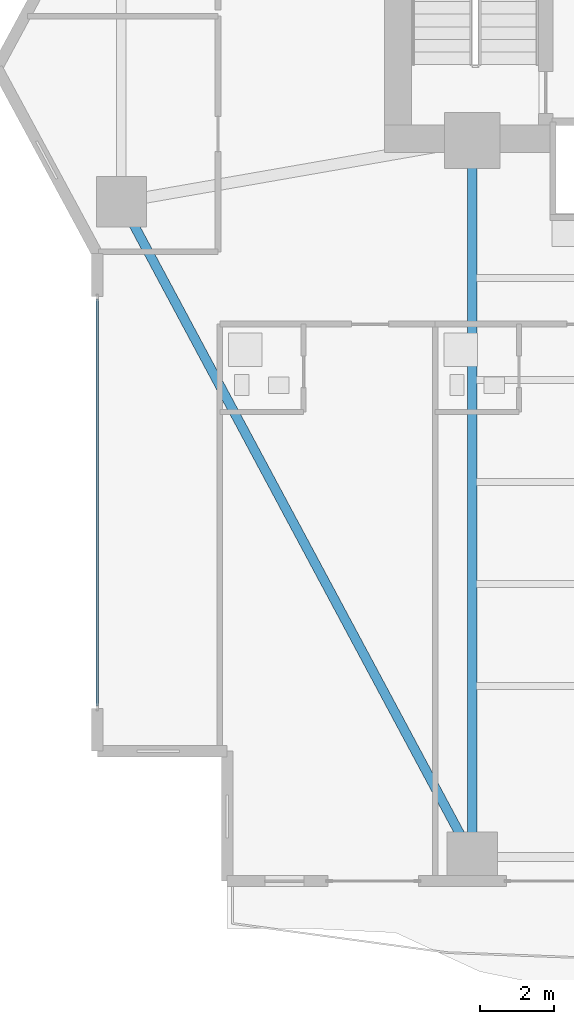
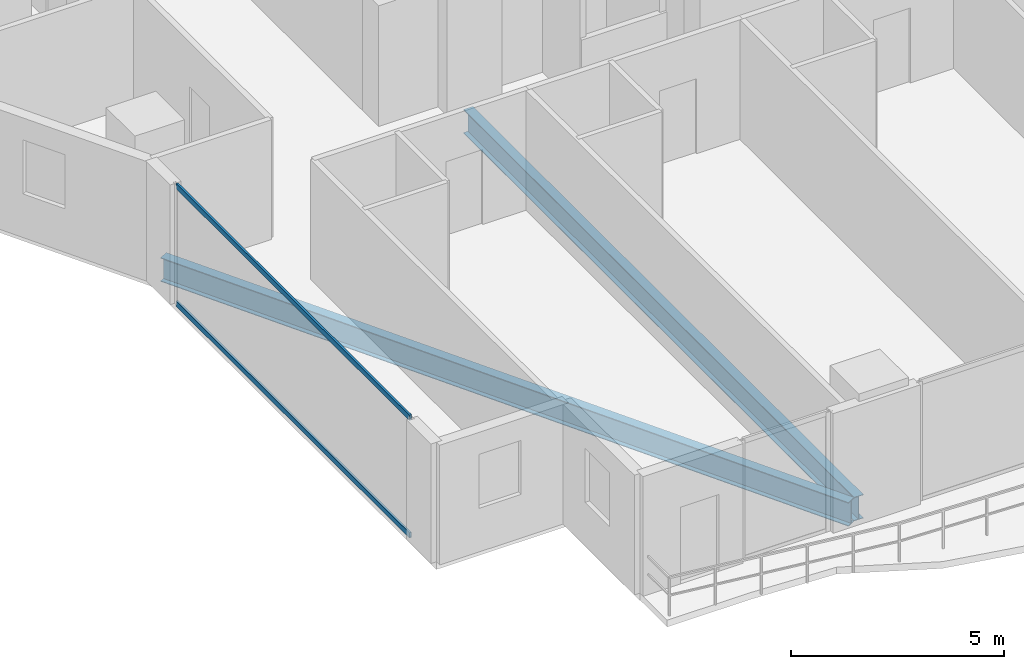
# One storey, part 3 of 29: 2 beams, 2 members, 1 element without a shape of its own.
"""IFC4 building model written with IfcOpenShell, lengths in metres."""

from ifc_helpers import new_model, si_unit, direction, frame, origin, origin_2d, place, context, subcontext, project, spatial, hollow_rectangle, i_section, extrude, material, layer, layer_set, material_profile, profile_set, type_object, element, aggregate, save


model = new_model("IFC4")

# Units and contexts
model_context = context("Model", 3, precision=1e-05, world=origin(), true_north=direction((0.0, 1.0)))
body_context = subcontext(model_context, "Body", "Model", "MODEL_VIEW")
ifc_project = project(units=[si_unit("LENGTHUNIT", "METRE"), si_unit("AREAUNIT", "SQUARE_METRE"), si_unit("VOLUMEUNIT", "CUBIC_METRE"), si_unit("PLANEANGLEUNIT", "RADIAN"), si_unit("MASSUNIT", "GRAM", prefix="KILO")], contexts=[model_context])

# Site, building, storey
site_placement = place(None, origin())
site = spatial("IfcSite", under=ifc_project, at=site_placement, CompositionType="ELEMENT")
building_placement = place(site_placement, origin())
building = spatial("IfcBuilding", under=site, at=building_placement, Name="Zuhayl Quay Hotel", CompositionType="ELEMENT")
storey_placement = place(building_placement, frame((0.0, 0.0, 150.39990234375)))
storey = spatial("IfcBuildingStorey", under=building, at=storey_placement, Name="L38", CompositionType="ELEMENT", Elevation=150.39990234375)

# Beams
ifc_material_1 = material(Name="Steel ASTM A992 Grade 50", Category="steel")
ifc_material_profile_1 = material_profile(ifc_material_1, i_section(OverallWidth=0.25390625, OverallDepth=0.68310546875, WebThickness=0.012451171875, FlangeThickness=0.018798828125, at=origin_2d()), Name="W27X94")
ifc_profile_set_1 = profile_set([ifc_material_profile_1], Name="Steel ASTM A992 Grade 50")
beam_type = type_object("IfcBeamType", Name="BM_B2_W27X94", PredefinedType="BEAM", material=ifc_profile_set_1)
beam_1_placement = place(storey_placement, frame((-23.013916015625, 2.459228515625, -0.5615234375), z_axis=(0.472017301959, -0.88158928456, 0.0), x_axis=(0.88158928456, 0.472017301959, 0.0)))
element("IfcBeam", 1, at=beam_1_placement, inside=storey, type_object=beam_type, Name="L38 Floor Beam RG_L38_12", PredefinedType="BEAM", context=body_context, shape_type="SweptSolid", body=[
    extrude(i_section(OverallWidth=0.25390625, OverallDepth=0.68310546875, WebThickness=0.012451171875, FlangeThickness=0.018798828125, at=origin_2d()), origin(), (0.0, 0.0, 1.0), 19.0205078125),
])
beam_2_placement = place(storey_placement, frame((-13.800048828125, -14.25, -0.5615234375), z_axis=(0.0, 1.0, 0.0), x_axis=(-1.0, 0.0, 0.0)))
element("IfcBeam", 2, at=beam_2_placement, inside=storey, type_object=beam_type, Name="L38 Floor Beam FG_S_L38_1", PredefinedType="BEAM", context=body_context, shape_type="SweptSolid", body=[
    extrude(i_section(OverallWidth=0.25390625, OverallDepth=0.68310546875, WebThickness=0.012451171875, FlangeThickness=0.018798828125, at=origin_2d()), origin(), (0.0, 0.0, 1.0), 18.35009765625),
])

# Curtain wall, members
ifc_material_2 = material(Name="Anodised Aluminium 6063-T6", Category="aluminium")
ifc_layer = layer(ifc_material_2, 0.179931640625, Name="Anodised Aluminium 6063-T6", Category="aluminium")
ifc_layer_set = layer_set([ifc_layer], Name="Anodised Aluminium 6063-T6")
curtain_wall_type = type_object("IfcCurtainWallType", Name="CW_SYS_Z2", PredefinedType="USERDEFINED", material=ifc_layer_set)
curtain_wall_placement = place(storey_placement, origin())
curtain_wall = element("IfcCurtainWall", 3, at=curtain_wall_placement, inside=storey, type_object=curtain_wall_type, Name="L38 Curtain Wall ENV_L38_E02_CW1", ObjectType="UNITISED CURTAIN WALL", PredefinedType="USERDEFINED")
ifc_material_3 = material(Name="Black-anodised aluminium 6063-T6", Category="aluminium")
ifc_material_profile_2 = material_profile(ifc_material_3, hollow_rectangle(XDim=0.06005859375, YDim=0.14990234375, WallThickness=0.00341796875, at=origin_2d()), Name="ALU150X60")
ifc_profile_set_2 = profile_set([ifc_material_profile_2], Name="Black-anodised aluminium 6063-T6")
member_type = type_object("IfcMemberType", Name="MB_CW_TRN_150", PredefinedType="USERDEFINED", material=ifc_profile_set_2)
member_1_placement = place(storey_placement, frame((-23.89990234375, -10.68505859375, 0.030029296875), z_axis=(0.0, 1.0, 0.0), x_axis=(-1.0, 0.0, 0.0)))
member_1 = element("IfcMember", 4, at=member_1_placement, type_object=member_type, Name="CW-Z2 transom 1.1", ObjectType="TRANSOM", PredefinedType="USERDEFINED", context=body_context, shape_type="SweptSolid", body=[
    extrude(hollow_rectangle(XDim=0.06005859375, YDim=0.14990234375, WallThickness=0.00341796875, at=origin_2d()), origin(), (0.0, 0.0, 1.0), 10.969970703125),
])
member_2_placement = place(storey_placement, frame((-23.89990234375, -10.68505859375, 3.400146484375), z_axis=(0.0, 1.0, 0.0), x_axis=(-1.0, 0.0, 0.0)))
member_2 = element("IfcMember", 5, at=member_2_placement, type_object=member_type, Name="CW-Z2 transom 1.2", ObjectType="TRANSOM", PredefinedType="USERDEFINED", context=body_context, shape_type="SweptSolid", body=[
    extrude(hollow_rectangle(XDim=0.06005859375, YDim=0.14990234375, WallThickness=0.00341796875, at=origin_2d()), origin(), (0.0, 0.0, 1.0), 10.969970703125),
])
aggregate(curtain_wall, [member_1, member_2])

save(model, "model.ifc")
